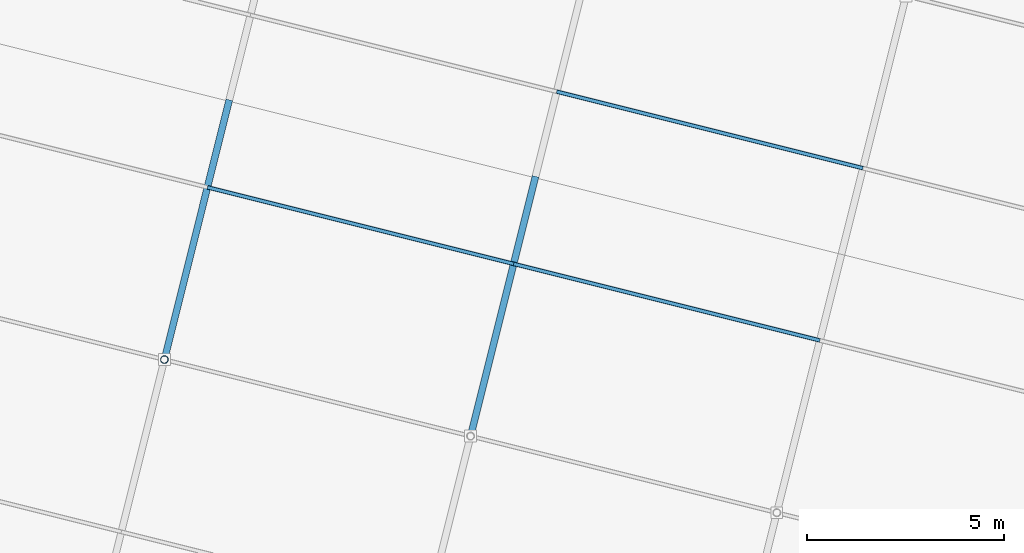
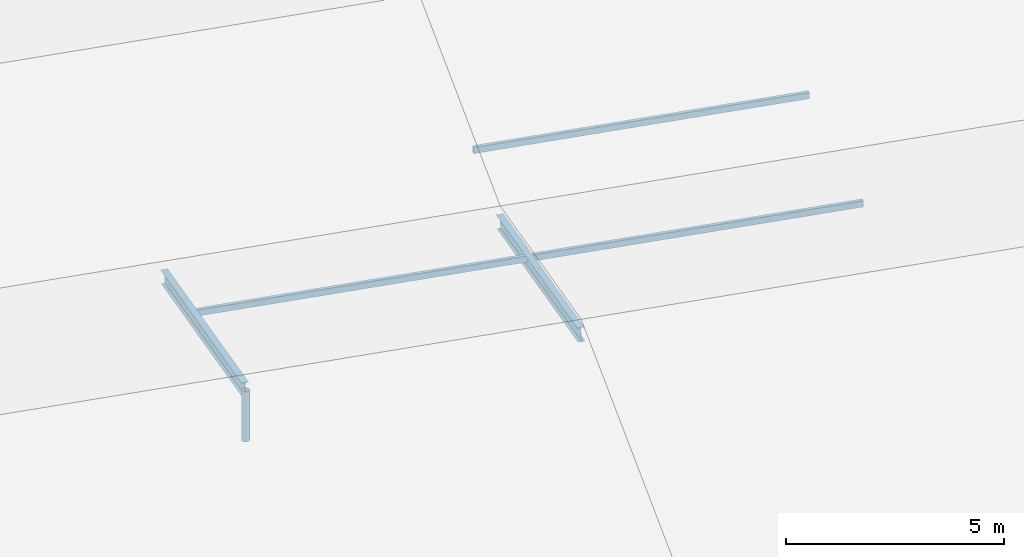
# One storey, part 64 of 107: 6 members.
"""IFC4 building model written with IfcOpenShell, lengths in metres."""

from ifc_helpers import new_model, si_unit, derived_unit, direction, frame, origin, origin_2d, place, context, subcontext, project, spatial, hollow_rectangle, hollow_circle, i_section, extrude, material, material_profile, profile_set, type_object, element, save


model = new_model("IFC4")

# Units and contexts
model_context = context("Model", 3, precision=1e-05, world=origin(), true_north=direction((0.0, 1.0)))
body_context = subcontext(model_context, "Body", "Model", "MODEL_VIEW")
ifc_project = project(units=[si_unit("LENGTHUNIT", "METRE"), si_unit("AREAUNIT", "SQUARE_METRE"), si_unit("VOLUMEUNIT", "CUBIC_METRE"), si_unit("PLANEANGLEUNIT", "RADIAN"), si_unit("MASSUNIT", "GRAM", prefix="KILO"), si_unit("THERMODYNAMICTEMPERATUREUNIT", "KELVIN"), si_unit("TIMEUNIT", "SECOND"), derived_unit("THERMALTRANSMITTANCEUNIT", [(si_unit("MASSUNIT", "GRAM", prefix="KILO"), 1), (si_unit("THERMODYNAMICTEMPERATUREUNIT", "KELVIN"), -1), (si_unit("TIMEUNIT", "SECOND"), -3)])], contexts=[model_context])

# Site, building, storey
site_placement = place(None, origin())
site = spatial("IfcSite", under=ifc_project, at=site_placement, CompositionType="ELEMENT")
building_placement = place(site_placement, origin())
building = spatial("IfcBuilding", under=site, at=building_placement, Name="Cambertide Market Hall", CompositionType="ELEMENT")
storey_placement = place(building_placement, frame((0.0, 0.0, 18.300048828125)))
storey = spatial("IfcBuildingStorey", under=building, at=storey_placement, Name="RF", CompositionType="ELEMENT", Elevation=18.300048828125)

# Members
ifc_material_1 = material(Name="Steel S355", Category="steel")
ifc_material_profile_1 = material_profile(ifc_material_1, i_section(OverallWidth=0.169921875, OverallDepth=0.360107421875, WebThickness=0.008056640625, FlangeThickness=0.0126953125, FilletRadius=0.01806640625, at=origin_2d()), Name="IPE 360")
ifc_profile_set_1 = profile_set([ifc_material_profile_1], Name="Steel S355")
member_type_1 = type_object("IfcMemberType", Name="Radial Fan Rafter IPE 360", PredefinedType="RAFTER", material=ifc_profile_set_1)
for number, where, z_axis, x_axis, name in (
    (1, (148.44287109375, 96.846923828125, 1.003173828125), (0.237641829002, 0.950673643448, -0.199363950505), (-0.970148882494, 0.242510094215, 0.0), "RAF-V4-6-2"),
    (2, (156.203857421875, 94.90673828125, 1.003173828125), (0.237675269494, 0.950665635794, -0.199362271235), (-0.970140372565, 0.242544135198, 0.0), "RAF-V4-7-2"),
):
    element("IfcMember", number, at=place(storey_placement, frame(where, z_axis=z_axis, x_axis=x_axis)), inside=storey, type_object=member_type_1, Name=name, PredefinedType="RAFTER", context=body_context, shape_type="SweptSolid", body=[
        extrude(i_section(OverallWidth=0.169921875, OverallDepth=0.360107421875, WebThickness=0.008056640625, FlangeThickness=0.0126953125, FilletRadius=0.01806640625, at=origin_2d()), origin(), (0.0, 0.0, 1.0), 6.888427734375),
    ])
ifc_material_2 = material(Name="Steel S275", Category="steel")
ifc_material_profile_2 = material_profile(ifc_material_2, hollow_rectangle(XDim=0.10009765625, YDim=0.179931640625, WallThickness=0.00634765625, InnerFilletRadius=0.00634765625, OuterFilletRadius=0.0126953125, at=origin_2d()), Name="RHS 180x100x6.3")
ifc_profile_set_2 = profile_set([ifc_material_profile_2], Name="Steel S275")
member_type_2 = type_object("IfcMemberType", Name="Roof Purlin RHS 180x100x6.3", PredefinedType="PURLIN", material=ifc_profile_set_2)
for number, where, z_axis, x_axis, name in (
    (3, (149.5341796875, 101.212646484375, 0.11767578125), (0.970146090314, -0.242521263911, 0.0), (0.242521263911, 0.970146090314, 0.0), "PUR-V4-6-112"),
    (4, (157.29541015625, 99.2724609375, 0.11767578125), (0.970137114374, -0.242557167103, 0.0), (0.242557167103, 0.970137114374, 0.0), "PUR-V4-7-112"),
    (5, (158.38671875, 103.637939453125, 0.11767578125), (0.970146090314, -0.242521263911, 0.0), (0.242521263911, 0.970146090314, 0.0), "PUR-V4-7-157"),
):
    element("IfcMember", number, at=place(storey_placement, frame(where, z_axis=z_axis, x_axis=x_axis)), inside=storey, type_object=member_type_2, Name=name, PredefinedType="PURLIN", context=body_context, shape_type="SweptSolid", body=[
        extrude(hollow_rectangle(XDim=0.10009765625, YDim=0.179931640625, WallThickness=0.00634765625, InnerFilletRadius=0.00634765625, OuterFilletRadius=0.0126953125, at=origin_2d()), origin(), (0.0, 0.0, 1.0), 8.0),
    ])
ifc_material_3 = material(Name="Steel S355", Category="steel")
ifc_material_profile_3 = material_profile(ifc_material_3, hollow_circle(Radius=0.096923828125, WallThickness=0.00634765625, at=origin_2d()), Name="CHS 193.7x6.3")
ifc_profile_set_3 = profile_set([ifc_material_profile_3], Name="Steel S355")
member_type_3 = type_object("IfcMemberType", Name="Structural Brace CHS 193.7x6.3", PredefinedType="BRACE", material=ifc_profile_set_3)
member_placement = place(storey_placement, frame((148.44287109375, 96.846923828125, -0.400146484375), z_axis=(0.0, 0.0, 1.0), x_axis=(1.0, 0.0, 0.0)))
element("IfcMember", 6, at=member_placement, inside=storey, type_object=member_type_3, Name="KP-V4-6-67", PredefinedType="BRACE", context=body_context, shape_type="SweptSolid", body=[
    extrude(hollow_circle(Radius=0.096923828125, WallThickness=0.00634765625, at=origin_2d()), origin(), (0.0, 0.0, 1.0), 1.4033203125),
])

save(model, "model.ifc")
